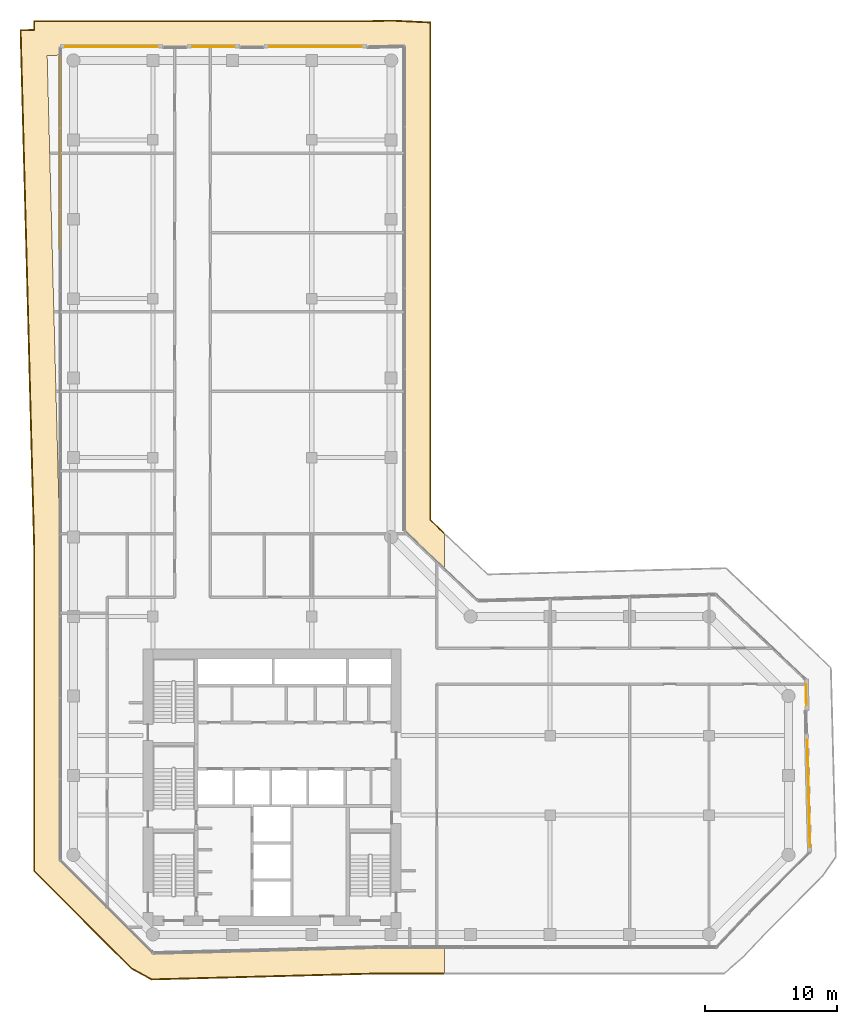
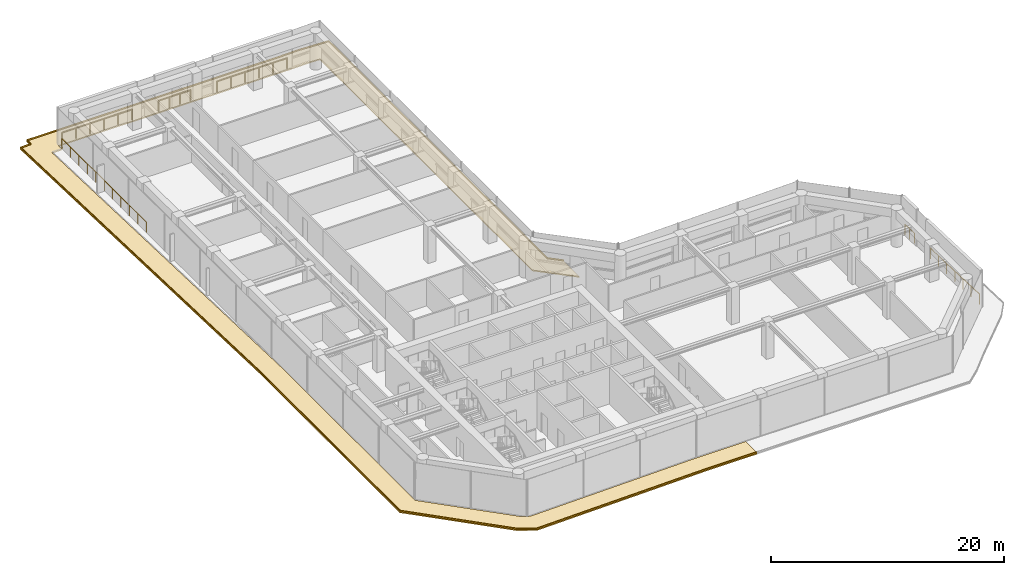
# One storey, part 23 of 23: 6 railings, 2 coverings.
"""IFC4 building model written with IfcOpenShell, lengths in metres."""

import ifcopenshell
import ifcopenshell.guid

model = None  # the IFC model being written
_history = None  # IfcOwnerHistory: only IFC2X3 demands one
_inside = {}  # id of a spatial element -> (the spatial element, [elements in it])
_under = {}  # id of a project, library or spatial element -> (it, [spatial elements below it])
_declared = {}  # id of a project -> (the project, [libraries it declares])
_typed = {}  # id of a type object -> (the type object, [elements of that type])
_made_of = {}  # id of a material, layer set ... -> (it, [elements and type objects made of it])


def new_model(schema):
    """Start an empty IFC model of exactly this schema.

    Asked for "IFC4X3", IfcOpenShell would pick the latest addendum, in which some entities
    have other attributes; the version numbers below select the first issue.
    IFC2X3 requires an IfcOwnerHistory on every rooted entity: one is made here for all.
    """
    global model, _history
    if schema == "IFC4X3":
        model = ifcopenshell.file(schema_version=(4, 3, 0, 0))
    else:
        model = ifcopenshell.file(schema=schema)
    _inside.clear()
    _under.clear()
    _declared.clear()
    _typed.clear()
    _made_of.clear()
    _history = None
    if model.schema == "IFC2X3":
        org = make("IfcOrganization", Name="unknown")
        user = make(
            "IfcPersonAndOrganization",
            ThePerson=make("IfcPerson", FamilyName="unknown"),
            TheOrganization=org,
        )
        app = make(
            "IfcApplication",
            ApplicationDeveloper=org,
            Version="unknown",
            ApplicationFullName="unknown",
            ApplicationIdentifier="unknown",
        )
        _history = make(
            "IfcOwnerHistory",
            OwningUser=user,
            OwningApplication=app,
            ChangeAction="ADDED",
            CreationDate=0,
        )
    return model


def make(cls, **values):
    """One entity of the class cls with the attributes given. An attribute that is None is left unset."""
    return model.create_entity(
        cls, **{name: value for name, value in values.items() if value is not None}
    )


def rooted(cls, **values):
    """An entity with a GlobalId (a new one), such as an element, a storey or a relation."""
    return make(cls, GlobalId=ifcopenshell.guid.new(), OwnerHistory=_history, **values)


def si_unit(unit_type, name, prefix=None):
    """IfcSIUnit, for example si_unit("LENGTHUNIT", "METRE", prefix="MILLI")."""
    return make("IfcSIUnit", UnitType=unit_type, Prefix=prefix, Name=name)


def assignment(units):
    """IfcUnitAssignment: the units of a project."""
    return None if units is None else make("IfcUnitAssignment", Units=units)


def point(xyz):
    """IfcCartesianPoint."""
    return None if xyz is None else make("IfcCartesianPoint", Coordinates=xyz)


def direction(xyz):
    """IfcDirection."""
    return None if xyz is None else make("IfcDirection", DirectionRatios=xyz)


def frame(location, z_axis=None, x_axis=None):
    """IfcAxis2Placement3D, a coordinate frame: its origin and axes. An axis left out is left unset."""
    return make(
        "IfcAxis2Placement3D",
        Location=point(location),
        Axis=direction(z_axis),
        RefDirection=direction(x_axis),
    )


def frame_2d(location, x_axis=None):
    """IfcAxis2Placement2D, a coordinate frame in the plane: its origin and x axis."""
    return make(
        "IfcAxis2Placement2D", Location=point(location), RefDirection=direction(x_axis)
    )


def origin():
    """The frame at (0, 0, 0) with its axes left unset."""
    return frame((0.0, 0.0, 0.0))


def origin_2d():
    """The frame at (0, 0) in the plane with its x axis left unset."""
    return frame_2d((0.0, 0.0))


def place(relative_to, where):
    """IfcLocalPlacement: puts the frame where relative to a parent placement (None: the world)."""
    return make(
        "IfcLocalPlacement", PlacementRelTo=relative_to, RelativePlacement=where
    )


def context(
    kind, dimensions, precision=None, world=None, true_north=None, identifier=None
):
    """IfcGeometricRepresentationContext, for example the 3D "Model" context."""
    return make(
        "IfcGeometricRepresentationContext",
        ContextIdentifier=identifier,
        ContextType=kind,
        CoordinateSpaceDimension=dimensions,
        Precision=precision,
        WorldCoordinateSystem=world,
        TrueNorth=true_north,
    )


def subcontext(parent, identifier, kind, view, scale=None):
    """IfcGeometricRepresentationSubContext, for example "Body" below "Model"."""
    return make(
        "IfcGeometricRepresentationSubContext",
        ContextIdentifier=identifier,
        ContextType=kind,
        ParentContext=parent,
        TargetScale=scale,
        TargetView=view,
    )


def project(units=None, contexts=None):
    """IfcProject with its units and contexts."""
    return rooted(
        "IfcProject",
        Name="project",
        RepresentationContexts=contexts,
        UnitsInContext=assignment(units),
    )


def spatial(cls, under=None, at=None, **own):
    """A site, building, storey or space (cls), placed at a placement, below another one or the project."""
    s = rooted(cls, ObjectPlacement=at, **own)
    if under is not None:
        _under.setdefault(under.id(), (under, []))[1].append(s)
    return s


def polyline(points):
    """IfcPolyline through the points."""
    return make("IfcPolyline", Points=[point(p) for p in points])


def profile(cls, at=None, kind="AREA", **sizes):
    """A parametric profile (cls). Its sizes go by their IFC names, for example OverallWidth=200.0."""
    return make(cls, ProfileType=kind, Position=at, **sizes)


def circle(**sizes):
    """IfcCircleProfileDef."""
    return profile("IfcCircleProfileDef", **sizes)


def outline(outer, holes=None, kind="AREA"):
    """IfcArbitraryClosedProfileDef: a profile drawn as a closed curve; with holes, ...WithVoids."""
    if holes is None:
        return make("IfcArbitraryClosedProfileDef", ProfileType=kind, OuterCurve=outer)
    return make(
        "IfcArbitraryProfileDefWithVoids",
        ProfileType=kind,
        OuterCurve=outer,
        InnerCurves=holes,
    )


def extrude(swept, where, along, depth):
    """IfcExtrudedAreaSolid: the profile swept, set in the frame where, extruded along a direction by depth."""
    return make(
        "IfcExtrudedAreaSolid",
        SweptArea=swept,
        Position=where,
        ExtrudedDirection=direction(along),
        Depth=depth,
    )


def shape(context_of_items, identifier, shape_type, items):
    """IfcShapeRepresentation: the items that make up one representation, for example the "Body"."""
    return make(
        "IfcShapeRepresentation",
        ContextOfItems=context_of_items,
        RepresentationIdentifier=identifier,
        RepresentationType=shape_type,
        Items=items,
    )


def material(Name=None, Category=None):
    """IfcMaterial."""
    return make("IfcMaterial", Name=Name, Category=Category)


def layer(
    of_material, thickness, ventilated=None, Name=None, Category=None, Priority=None
):
    """IfcMaterialLayer: one layer of a wall or slab, of a material (None: an air gap)."""
    return make(
        "IfcMaterialLayer",
        Material=of_material,
        LayerThickness=thickness,
        IsVentilated=ventilated,
        Name=Name,
        Category=Category,
        Priority=Priority,
    )


def layer_set(layers, Name=None):
    """IfcMaterialLayerSet."""
    return make("IfcMaterialLayerSet", MaterialLayers=layers, LayerSetName=Name)


def made_of(thing, what):
    """Note that an element or type object is made of a material, layer set ...; save() writes the relation."""
    if what is not None:
        _made_of.setdefault(what.id(), (what, []))[1].append(thing)
    return thing


def type_object(cls, material=None, **own):
    """A type object (cls), such as IfcWallType, which elements share."""
    return made_of(rooted(cls, **own), material)


def element(
    cls,
    number,
    at=None,
    inside=None,
    cuts=None,
    type_object=None,
    material=None,
    context=None,
    identifier="Body",
    shape_type=None,
    held_by="IfcProductDefinitionShape",
    body=None,
    shapes=None,
    **own,
):
    """One element of the class cls, such as IfcWall. Its Tag is "e" and its number.

    at: its placement. inside: the storey or other place that contains it. cuts: it is an
    opening in that element (IfcRelVoidsElement). A single representation is given by context,
    identifier, shape_type and body (its items); several are given by shapes. held_by: the class
    of the entity that holds the representations. save() writes the other relations.
    """
    e = rooted(cls, Tag="e%d" % number, ObjectPlacement=at, **own)
    if body is not None:
        shapes = [shape(context, identifier, shape_type, body)]
    if shapes is not None:
        e.Representation = make(held_by, Representations=shapes)
    if inside is not None:
        _inside.setdefault(inside.id(), (inside, []))[1].append(e)
    if cuts is not None:
        rooted(
            "IfcRelVoidsElement", RelatingBuildingElement=cuts, RelatedOpeningElement=e
        )
    if type_object is not None:
        _typed.setdefault(type_object.id(), (type_object, []))[1].append(e)
    return made_of(e, material)


def aggregate(whole, parts):
    """IfcRelAggregates: a whole, such as a stair, and the parts it consists of."""
    return rooted("IfcRelAggregates", RelatingObject=whole, RelatedObjects=parts)


def save(model, path):
    """Write the relations noted so far, then the file.

    IfcRelAggregates (storeys below a building ...), IfcRelContainedInSpatialStructure (elements
    in a storey), IfcRelDefinesByType, IfcRelAssociatesMaterial and IfcRelDeclares: one each for
    every whole, place, type object, material and project.
    """
    for whole, parts in _under.values():
        aggregate(whole, parts)
    for where, things in _inside.values():
        rooted(
            "IfcRelContainedInSpatialStructure",
            RelatedElements=things,
            RelatingStructure=where,
        )
    for kind, things in _typed.values():
        rooted("IfcRelDefinesByType", RelatedObjects=things, RelatingType=kind)
    for what, things in _made_of.values():
        rooted("IfcRelAssociatesMaterial", RelatedObjects=things, RelatingMaterial=what)
    for by, libraries in _declared.values():
        rooted("IfcRelDeclares", RelatingContext=by, RelatedDefinitions=libraries)
    model.write(path)


model = new_model("IFC4")

# Units and contexts
model_context = context("Model", 3, precision=1e-05, world=origin(), true_north=direction((0.0, 1.0)))
body_context = subcontext(model_context, "Body", "Model", "MODEL_VIEW")
ifc_project = project(units=[si_unit("LENGTHUNIT", "METRE"), si_unit("AREAUNIT", "SQUARE_METRE"), si_unit("VOLUMEUNIT", "CUBIC_METRE"), si_unit("PLANEANGLEUNIT", "RADIAN"), si_unit("MASSUNIT", "GRAM", prefix="KILO")], contexts=[model_context])

# Site, building, storey
site_placement = place(None, origin())
site = spatial("IfcSite", under=ifc_project, at=site_placement, CompositionType="ELEMENT")
building_placement = place(site_placement, origin())
building = spatial("IfcBuilding", under=site, at=building_placement, Name="Welwitschia Terrace Campus", CompositionType="ELEMENT")
storey_placement = place(building_placement, frame((0.0, 0.0, 104.60009765625)))
storey = spatial("IfcBuildingStorey", under=building, at=storey_placement, Name="L23", CompositionType="ELEMENT", Elevation=104.60009765625)

# Railings
ifc_material_1 = material(Name="Stainless steel grade 316", Category="steel")
railing_type = type_object("IfcRailingType", Name="Guard 1100", PredefinedType="GUARDRAIL", material=ifc_material_1)
railing_1_placement = place(storey_placement, frame((-1.030029296875, 55.784912109375, 0.0)))
element("IfcRailing", 1, at=railing_1_placement, inside=storey, type_object=railing_type, Name="Guard floor edge L23.0", PredefinedType="GUARDRAIL", context=body_context, shape_type="SweptSolid", body=[
    extrude(circle(Radius=0.02392578125, at=origin_2d()), frame((0.0, 0.0, 1.076171875), z_axis=(0.0, 1.0, 0.0), x_axis=(-1.0, 0.0, 0.0)), (0.0, 0.0, 1.0), 14.465576171875),
    extrude(circle(Radius=0.02099609375, at=origin_2d()), origin(), (0.0, 0.0, 1.0), 1.052001953125),
    extrude(circle(Radius=0.02099609375, at=origin_2d()), frame((0.0, 1.446533203125, 0.0)), (0.0, 0.0, 1.0), 1.052001953125),
    extrude(circle(Radius=0.02099609375, at=origin_2d()), frame((0.0, 2.89306640625, 0.0)), (0.0, 0.0, 1.0), 1.052001953125),
    extrude(circle(Radius=0.02099609375, at=origin_2d()), frame((0.0, 4.339599609375, 0.0)), (0.0, 0.0, 1.0), 1.052001953125),
    extrude(circle(Radius=0.02099609375, at=origin_2d()), frame((0.0, 5.7861328125, 0.0)), (0.0, 0.0, 1.0), 1.052001953125),
    extrude(circle(Radius=0.02099609375, at=origin_2d()), frame((0.0, 7.23291015625, 0.0)), (0.0, 0.0, 1.0), 1.052001953125),
    extrude(circle(Radius=0.02099609375, at=origin_2d()), frame((0.0, 8.679443359375, 0.0)), (0.0, 0.0, 1.0), 1.052001953125),
    extrude(circle(Radius=0.02099609375, at=origin_2d()), frame((0.0, 10.1259765625, 0.0)), (0.0, 0.0, 1.0), 1.052001953125),
    extrude(circle(Radius=0.02099609375, at=origin_2d()), frame((0.0, 11.572509765625, 0.0)), (0.0, 0.0, 1.0), 1.052001953125),
    extrude(circle(Radius=0.02099609375, at=origin_2d()), frame((0.0, 13.01904296875, 0.0)), (0.0, 0.0, 1.0), 1.052001953125),
    extrude(circle(Radius=0.02099609375, at=origin_2d()), frame((0.0, 14.465576171875, 0.0)), (0.0, 0.0, 1.0), 1.052001953125),
])
railing_2_placement = place(storey_placement, frame((-0.580078125, 71.030029296875, 0.0)))
element("IfcRailing", 2, at=railing_2_placement, inside=storey, type_object=railing_type, Name="Guard floor edge L23.1", PredefinedType="GUARDRAIL", context=body_context, shape_type="SweptSolid", body=[
    extrude(circle(Radius=0.02392578125, at=origin_2d()), frame((0.0, 0.0, 1.076171875), z_axis=(1.0, 0.0, 0.0), x_axis=(0.0, 1.0, 0.0)), (0.0, 0.0, 1.0), 6.931396484375),
    extrude(circle(Radius=0.02099609375, at=origin_2d()), origin(), (0.0, 0.0, 1.0), 1.052001953125),
    extrude(circle(Radius=0.02099609375, at=origin_2d()), frame((1.38623046875, 0.0, 0.0)), (0.0, 0.0, 1.0), 1.052001953125),
    extrude(circle(Radius=0.02099609375, at=origin_2d()), frame((2.7724609375, 0.0, 0.0)), (0.0, 0.0, 1.0), 1.052001953125),
    extrude(circle(Radius=0.02099609375, at=origin_2d()), frame((4.158935546875, 0.0, 0.0)), (0.0, 0.0, 1.0), 1.052001953125),
    extrude(circle(Radius=0.02099609375, at=origin_2d()), frame((5.545166015625, 0.0, 0.0)), (0.0, 0.0, 1.0), 1.052001953125),
    extrude(circle(Radius=0.02099609375, at=origin_2d()), frame((6.931396484375, 0.0, 0.0)), (0.0, 0.0, 1.0), 1.052001953125),
])
railing_3_placement = place(storey_placement, frame((8.998779296875, 71.030029296875, 0.0)))
element("IfcRailing", 3, at=railing_3_placement, inside=storey, type_object=railing_type, Name="Guard floor edge L23.2", PredefinedType="GUARDRAIL", context=body_context, shape_type="SweptSolid", body=[
    extrude(circle(Radius=0.02392578125, at=origin_2d()), frame((0.0, 0.0, 1.076171875), z_axis=(1.0, 0.0, 0.0), x_axis=(0.0, 1.0, 0.0)), (0.0, 0.0, 1.0), 3.156005859375),
    extrude(circle(Radius=0.02099609375, at=origin_2d()), origin(), (0.0, 0.0, 1.0), 1.052001953125),
    extrude(circle(Radius=0.02099609375, at=origin_2d()), frame((1.052001953125, 0.0, 0.0)), (0.0, 0.0, 1.0), 1.052001953125),
    extrude(circle(Radius=0.02099609375, at=origin_2d()), frame((2.10400390625, 0.0, 0.0)), (0.0, 0.0, 1.0), 1.052001953125),
    extrude(circle(Radius=0.02099609375, at=origin_2d()), frame((3.156005859375, 0.0, 0.0)), (0.0, 0.0, 1.0), 1.052001953125),
])
railing_4_placement = place(storey_placement, frame((14.802001953125, 71.030029296875, 0.0)))
element("IfcRailing", 4, at=railing_4_placement, inside=storey, type_object=railing_type, Name="Guard floor edge L23.3", PredefinedType="GUARDRAIL", context=body_context, shape_type="SweptSolid", body=[
    extrude(circle(Radius=0.02392578125, at=origin_2d()), frame((0.0, 0.0, 1.076171875), z_axis=(1.0, 0.0, 0.0), x_axis=(0.0, 1.0, 0.0)), (0.0, 0.0, 1.0), 6.95751953125),
    extrude(circle(Radius=0.02099609375, at=origin_2d()), origin(), (0.0, 0.0, 1.0), 1.052001953125),
    extrude(circle(Radius=0.02099609375, at=origin_2d()), frame((1.3916015625, 0.0, 0.0)), (0.0, 0.0, 1.0), 1.052001953125),
    extrude(circle(Radius=0.02099609375, at=origin_2d()), frame((2.782958984375, 0.0, 0.0)), (0.0, 0.0, 1.0), 1.052001953125),
    extrude(circle(Radius=0.02099609375, at=origin_2d()), frame((4.174560546875, 0.0, 0.0)), (0.0, 0.0, 1.0), 1.052001953125),
    extrude(circle(Radius=0.02099609375, at=origin_2d()), frame((5.56591796875, 0.0, 0.0)), (0.0, 0.0, 1.0), 1.052001953125),
    extrude(circle(Radius=0.02099609375, at=origin_2d()), frame((6.95751953125, 0.0, 0.0)), (0.0, 0.0, 1.0), 1.052001953125),
])
railing_5_placement = place(storey_placement, frame((55.3115234375, 22.853759765625, 0.0)))
element("IfcRailing", 5, at=railing_5_placement, inside=storey, type_object=railing_type, Name="Guard floor edge L23.4", PredefinedType="GUARDRAIL", context=body_context, shape_type="SweptSolid", body=[
    extrude(circle(Radius=0.02392578125, at=origin_2d()), frame((0.0, 0.0, 1.076171875), z_axis=(0.026230971049, -0.99965590888, 0.0), x_axis=(0.99965590888, 0.026230971049, 0.0)), (0.0, 0.0, 1.0), 1.5263671875),
    extrude(circle(Radius=0.02099609375, at=origin_2d()), origin(), (0.0, 0.0, 1.0), 1.052001953125),
    extrude(circle(Radius=0.02099609375, at=origin_2d()), frame((0.02001953125, -0.762939453125, 0.0)), (0.0, 0.0, 1.0), 1.052001953125),
    extrude(circle(Radius=0.02099609375, at=origin_2d()), frame((0.0400390625, -1.52587890625, 0.0)), (0.0, 0.0, 1.0), 1.052001953125),
])
railing_6_placement = place(storey_placement, frame((55.4208984375, 18.681396484375, 0.0)))
element("IfcRailing", 6, at=railing_6_placement, inside=storey, type_object=railing_type, Name="Guard floor edge L23.5", PredefinedType="GUARDRAIL", context=body_context, shape_type="SweptSolid", body=[
    extrude(circle(Radius=0.02392578125, at=origin_2d()), frame((0.0, 0.0, 1.076171875), z_axis=(0.026156388627, -0.999657863138, 0.0), x_axis=(0.999657863138, 0.026156388627, 0.0)), (0.0, 0.0, 1.0), 8.07373046875),
    extrude(circle(Radius=0.02099609375, at=origin_2d()), origin(), (0.0, 0.0, 1.0), 1.052001953125),
    extrude(circle(Radius=0.02099609375, at=origin_2d()), frame((0.03515625, -1.34521484375, 0.0)), (0.0, 0.0, 1.0), 1.052001953125),
    extrude(circle(Radius=0.02099609375, at=origin_2d()), frame((0.0703125, -2.6904296875, 0.0)), (0.0, 0.0, 1.0), 1.052001953125),
    extrude(circle(Radius=0.02099609375, at=origin_2d()), frame((0.10546875, -4.03564453125, 0.0)), (0.0, 0.0, 1.0), 1.052001953125),
    extrude(circle(Radius=0.02099609375, at=origin_2d()), frame((0.140869140625, -5.380615234375, 0.0)), (0.0, 0.0, 1.0), 1.052001953125),
    extrude(circle(Radius=0.02099609375, at=origin_2d()), frame((0.176025390625, -6.725830078125, 0.0)), (0.0, 0.0, 1.0), 1.052001953125),
    extrude(circle(Radius=0.02099609375, at=origin_2d()), frame((0.211181640625, -8.071044921875, 0.0)), (0.0, 0.0, 1.0), 1.052001953125),
])

# Coverings
ifc_material_2 = material(Name="Bronze anodised aluminium", Category="aluminium")
ifc_layer_1 = layer(ifc_material_2, 0.1201171875)
ifc_layer_set_1 = layer_set([ifc_layer_1], Name="Bronze anodised aluminium")
covering_type_1 = type_object("IfcCoveringType", Name="Sunshade band 2000", PredefinedType="USERDEFINED", material=ifc_layer_set_1)
covering_1_placement = place(storey_placement, frame((0.0, 0.0, -0.25)))
element("IfcCovering", 7, at=covering_1_placement, inside=storey, type_object=covering_type_1, Name="SUNSHADE L23.SW0", ObjectType="SUNSHADE", PredefinedType="USERDEFINED", context=body_context, shape_type="SweptSolid", body=[
    extrude(outline(polyline([(-3.0, 73.0), (22.15771484375, 73.0), (24.03125, 73.049072265625), (27.0, 72.90576171875), (27.0, 35.302490234375), (28.01806640625, 34.336181640625), (28.01806640625, 31.5791015625), (25.0, 34.443115234375), (25.0, 71.0), (24.00927734375, 71.0478515625), (22.183837890625, 71.0), (-1.0, 71.0), (-1.0, 70.392822265625), (-1.98193359375, 70.3671875), (-1.0, 32.8701171875), (-1.0, 9.585693359375), (5.585693359375, 3.0), (6.381591796875, 2.56298828125), (23.073974609375, 3.0), (28.01806640625, 3.0), (28.01806640625, 1.0), (23.10009765625, 1.0), (5.89306640625, 0.54931640625), (4.373046875, 1.38427734375), (-3.0, 8.75732421875), (-3.0, 32.843994140625), (-4.03369140625, 72.314208984375), (-3.0, 72.34130859375), (-3.0, 73.0)])), origin(), (0.0, 0.0, 1.0), 0.119873046875),
])
ifc_material_3 = material(Name="Bronze anodised aluminium", Category="aluminium")
ifc_layer_2 = layer(ifc_material_3, 0.06005859375)
ifc_layer_set_2 = layer_set([ifc_layer_2], Name="Bronze anodised aluminium")
covering_type_2 = type_object("IfcCoveringType", Name="Sunshade lip 60", PredefinedType="USERDEFINED", material=ifc_layer_set_2)
covering_2_placement = place(storey_placement, frame((0.0, 0.0, -0.130126953125)))
element("IfcCovering", 8, at=covering_2_placement, inside=storey, type_object=covering_type_2, Name="SUNSHADE LIP L23.SW0.0", ObjectType="SUNSHADE", PredefinedType="USERDEFINED", context=body_context, shape_type="SweptSolid", body=[
    extrude(outline(polyline([(22.15771484375, 73.0), (24.03125, 73.049072265625), (27.0, 72.90576171875), (27.0, 35.302490234375), (28.01806640625, 34.336181640625), (28.01806640625, 34.25341796875), (26.93994140625, 35.276611328125), (26.93994140625, 72.8486328125), (24.030517578125, 72.989013671875), (22.158447265625, 72.93994140625), (-2.93994140625, 72.93994140625), (-2.93994140625, 72.28271484375), (-3.971923828125, 72.255859375), (-2.93994140625, 32.8447265625), (-2.93994140625, 8.7822265625), (4.409423828125, 1.4326171875), (5.90771484375, 0.60986328125), (23.099365234375, 1.06005859375), (28.01806640625, 1.06005859375), (28.01806640625, 1.0), (23.10009765625, 1.0), (5.89306640625, 0.54931640625), (4.373046875, 1.38427734375), (-3.0, 8.75732421875), (-3.0, 32.843994140625), (-4.03369140625, 72.314208984375), (-3.0, 72.34130859375), (-3.0, 73.0), (22.15771484375, 73.0)])), origin(), (0.0, 0.0, 1.0), 0.130126953125),
])

save(model, "model.ifc")
